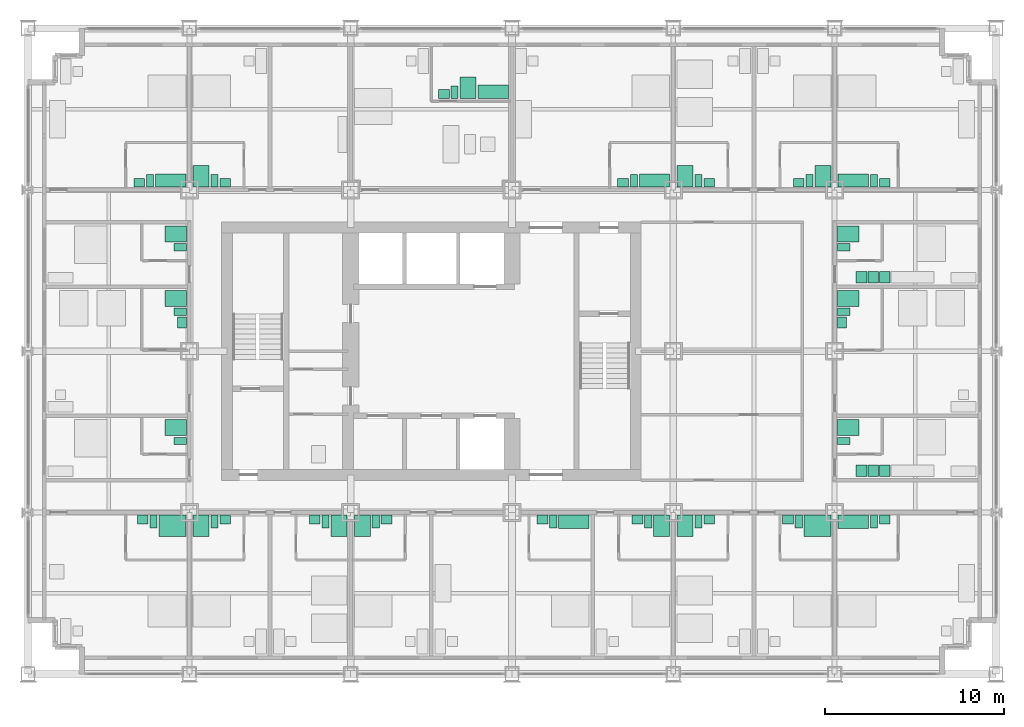
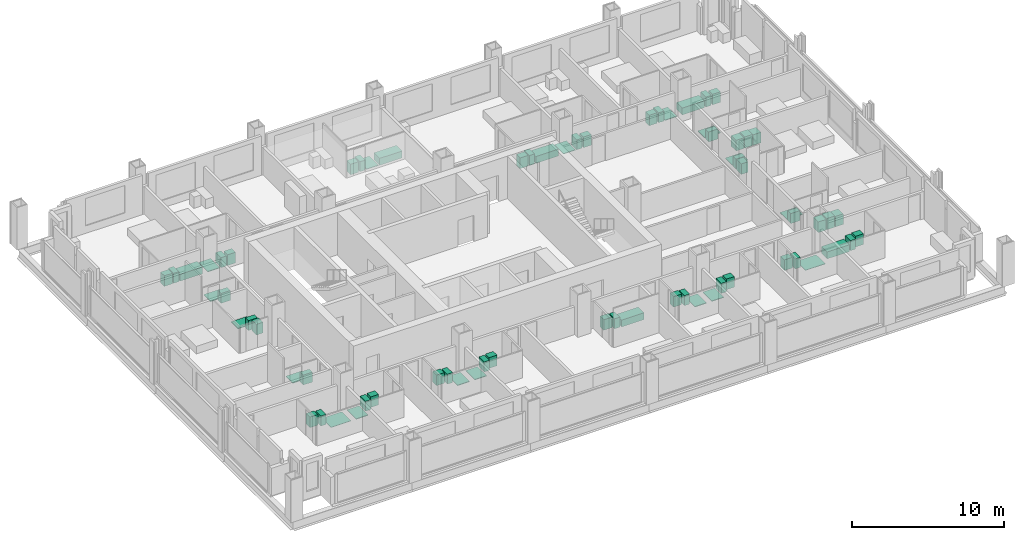
# One storey, part 18 of 19: 63 sanitary terminals, 6 electric appliances.
"""IFC4 building model written with IfcOpenShell, lengths in metres."""

from ifc_helpers import new_model, si_unit, direction, frame, origin, origin_2d, place, context, subcontext, project, spatial, rectangle, extrude, element, save


model = new_model("IFC4")

# Units and contexts
model_context = context("Model", 3, precision=1e-05, world=origin(), true_north=direction((0.0, 1.0)))
body_context = subcontext(model_context, "Body", "Model", "MODEL_VIEW")
ifc_project = project(units=[si_unit("LENGTHUNIT", "METRE"), si_unit("AREAUNIT", "SQUARE_METRE"), si_unit("VOLUMEUNIT", "CUBIC_METRE"), si_unit("PLANEANGLEUNIT", "RADIAN"), si_unit("MASSUNIT", "GRAM", prefix="KILO")], contexts=[model_context])

# Site, building, storey
site_placement = place(None, origin())
site = spatial("IfcSite", under=ifc_project, at=site_placement, CompositionType="ELEMENT")
building_placement = place(site_placement, origin())
building = spatial("IfcBuilding", under=site, at=building_placement, Name="Loomwork Tower", CompositionType="ELEMENT")
storey_placement = place(building_placement, frame((0.0, 0.0, 85.800048828125)))
storey = spatial("IfcBuildingStorey", under=building, at=storey_placement, Name="L22", CompositionType="ELEMENT", Elevation=85.800048828125)

# Sanitary terminals
sanitary_terminal_1_placement = place(storey_placement, frame((8.050048828125, 8.25, 0.0), z_axis=(0.0, 0.0, 1.0), x_axis=(1.0, 0.0, 0.0)))
element("IfcSanitaryTerminal", 1, at=sanitary_terminal_1_placement, inside=storey, Name="Roll-in shower floor L22", PredefinedType="SHOWER", context=body_context, shape_type="SweptSolid", body=[
    extrude(rectangle(XDim=1.5, YDim=1.199951171875, at=origin_2d()), origin(), (0.0, 0.0, 1.0), 0.030029296875),
])
sanitary_terminal_2_placement = place(storey_placement, frame((7.0, 8.5, 0.0), z_axis=(0.0, 0.0, 1.0), x_axis=(1.0, 0.0, 0.0)))
element("IfcSanitaryTerminal", 2, at=sanitary_terminal_2_placement, inside=storey, Name="WC L22", PredefinedType="TOILETPAN", context=body_context, shape_type="SweptSolid", body=[
    extrude(rectangle(XDim=0.39990234375, YDim=0.699951171875, at=origin_2d()), origin(), (0.0, 0.0, 1.0), 0.800048828125),
])
sanitary_terminal_3_placement = place(storey_placement, frame((6.39990234375, 8.60009765625, 0.0), z_axis=(0.0, 0.0, 1.0), x_axis=(1.0, 0.0, 0.0)))
element("IfcSanitaryTerminal", 3, at=sanitary_terminal_3_placement, inside=storey, Name="Basin vanity L22", PredefinedType="WASHHANDBASIN", context=body_context, shape_type="SweptSolid", body=[
    extrude(rectangle(XDim=0.60009765625, YDim=0.5, at=origin_2d()), origin(), (0.0, 0.0, 1.0), 0.85009765625),
])
sanitary_terminal_4_placement = place(storey_placement, frame((9.64990234375, 8.25, 0.0), z_axis=(0.0, 0.0, 1.0), x_axis=(1.0, 0.0, 0.0)))
element("IfcSanitaryTerminal", 4, at=sanitary_terminal_4_placement, inside=storey, Name="Shower tray L22", PredefinedType="SHOWER", context=body_context, shape_type="SweptSolid", body=[
    extrude(rectangle(XDim=0.89990234375, YDim=1.199951171875, at=origin_2d()), origin(), (0.0, 0.0, 1.0), 0.050048828125),
])
sanitary_terminal_5_placement = place(storey_placement, frame((10.39990234375, 8.5, 0.0), z_axis=(0.0, 0.0, 1.0), x_axis=(1.0, 0.0, 0.0)))
element("IfcSanitaryTerminal", 5, at=sanitary_terminal_5_placement, inside=storey, Name="WC L22", PredefinedType="TOILETPAN", context=body_context, shape_type="SweptSolid", body=[
    extrude(rectangle(XDim=0.39990234375, YDim=0.699951171875, at=origin_2d()), origin(), (0.0, 0.0, 1.0), 0.800048828125),
])
sanitary_terminal_6_placement = place(storey_placement, frame((11.0, 8.60009765625, 0.0), z_axis=(0.0, 0.0, 1.0), x_axis=(1.0, 0.0, 0.0)))
element("IfcSanitaryTerminal", 6, at=sanitary_terminal_6_placement, inside=storey, Name="Basin vanity L22", PredefinedType="WASHHANDBASIN", context=body_context, shape_type="SweptSolid", body=[
    extrude(rectangle(XDim=0.60009765625, YDim=0.5, at=origin_2d()), origin(), (0.0, 0.0, 1.0), 0.85009765625),
])
sanitary_terminal_7_placement = place(storey_placement, frame((17.35009765625, 8.25, 0.0), z_axis=(0.0, 0.0, 1.0), x_axis=(1.0, 0.0, 0.0)))
element("IfcSanitaryTerminal", 7, at=sanitary_terminal_7_placement, inside=storey, Name="Shower tray L22", PredefinedType="SHOWER", context=body_context, shape_type="SweptSolid", body=[
    extrude(rectangle(XDim=0.89990234375, YDim=1.199951171875, at=origin_2d()), origin(), (0.0, 0.0, 1.0), 0.050048828125),
])
sanitary_terminal_8_placement = place(storey_placement, frame((16.60009765625, 8.5, 0.0), z_axis=(0.0, 0.0, 1.0), x_axis=(1.0, 0.0, 0.0)))
element("IfcSanitaryTerminal", 8, at=sanitary_terminal_8_placement, inside=storey, Name="WC L22", PredefinedType="TOILETPAN", context=body_context, shape_type="SweptSolid", body=[
    extrude(rectangle(XDim=0.39990234375, YDim=0.699951171875, at=origin_2d()), origin(), (0.0, 0.0, 1.0), 0.800048828125),
])
sanitary_terminal_9_placement = place(storey_placement, frame((16.0, 8.60009765625, 0.0), z_axis=(0.0, 0.0, 1.0), x_axis=(1.0, 0.0, 0.0)))
element("IfcSanitaryTerminal", 9, at=sanitary_terminal_9_placement, inside=storey, Name="Basin vanity L22", PredefinedType="WASHHANDBASIN", context=body_context, shape_type="SweptSolid", body=[
    extrude(rectangle(XDim=0.60009765625, YDim=0.5, at=origin_2d()), origin(), (0.0, 0.0, 1.0), 0.85009765625),
])
sanitary_terminal_10_placement = place(storey_placement, frame((18.64990234375, 8.25, 0.0), z_axis=(0.0, 0.0, 1.0), x_axis=(1.0, 0.0, 0.0)))
element("IfcSanitaryTerminal", 10, at=sanitary_terminal_10_placement, inside=storey, Name="Shower tray L22", PredefinedType="SHOWER", context=body_context, shape_type="SweptSolid", body=[
    extrude(rectangle(XDim=0.89990234375, YDim=1.199951171875, at=origin_2d()), origin(), (0.0, 0.0, 1.0), 0.050048828125),
])
sanitary_terminal_11_placement = place(storey_placement, frame((19.39990234375, 8.5, 0.0), z_axis=(0.0, 0.0, 1.0), x_axis=(1.0, 0.0, 0.0)))
element("IfcSanitaryTerminal", 11, at=sanitary_terminal_11_placement, inside=storey, Name="WC L22", PredefinedType="TOILETPAN", context=body_context, shape_type="SweptSolid", body=[
    extrude(rectangle(XDim=0.39990234375, YDim=0.699951171875, at=origin_2d()), origin(), (0.0, 0.0, 1.0), 0.800048828125),
])
sanitary_terminal_12_placement = place(storey_placement, frame((20.0, 8.60009765625, 0.0), z_axis=(0.0, 0.0, 1.0), x_axis=(1.0, 0.0, 0.0)))
element("IfcSanitaryTerminal", 12, at=sanitary_terminal_12_placement, inside=storey, Name="Basin vanity L22", PredefinedType="WASHHANDBASIN", context=body_context, shape_type="SweptSolid", body=[
    extrude(rectangle(XDim=0.60009765625, YDim=0.5, at=origin_2d()), origin(), (0.0, 0.0, 1.0), 0.85009765625),
])
sanitary_terminal_13_placement = place(storey_placement, frame((30.449951171875, 8.47509765625, 0.0), z_axis=(0.0, 0.0, 1.0), x_axis=(1.0, 0.0, 0.0)))
element("IfcSanitaryTerminal", 13, at=sanitary_terminal_13_placement, inside=storey, Name="Bath L22", PredefinedType="BATH", context=body_context, shape_type="SweptSolid", body=[
    extrude(rectangle(XDim=1.699951171875, YDim=0.75, at=origin_2d()), origin(), (0.0, 0.0, 1.0), 0.550048828125),
])
sanitary_terminal_14_placement = place(storey_placement, frame((29.300048828125, 8.5, 0.0), z_axis=(0.0, 0.0, 1.0), x_axis=(1.0, 0.0, 0.0)))
element("IfcSanitaryTerminal", 14, at=sanitary_terminal_14_placement, inside=storey, Name="WC L22", PredefinedType="TOILETPAN", context=body_context, shape_type="SweptSolid", body=[
    extrude(rectangle(XDim=0.39990234375, YDim=0.699951171875, at=origin_2d()), origin(), (0.0, 0.0, 1.0), 0.800048828125),
])
sanitary_terminal_15_placement = place(storey_placement, frame((28.699951171875, 8.60009765625, 0.0), z_axis=(0.0, 0.0, 1.0), x_axis=(1.0, 0.0, 0.0)))
element("IfcSanitaryTerminal", 15, at=sanitary_terminal_15_placement, inside=storey, Name="Basin vanity L22", PredefinedType="WASHHANDBASIN", context=body_context, shape_type="SweptSolid", body=[
    extrude(rectangle(XDim=0.60009765625, YDim=0.5, at=origin_2d()), origin(), (0.0, 0.0, 1.0), 0.85009765625),
])
sanitary_terminal_16_placement = place(storey_placement, frame((35.35009765625, 8.25, 0.0), z_axis=(0.0, 0.0, 1.0), x_axis=(1.0, 0.0, 0.0)))
element("IfcSanitaryTerminal", 16, at=sanitary_terminal_16_placement, inside=storey, Name="Shower tray L22", PredefinedType="SHOWER", context=body_context, shape_type="SweptSolid", body=[
    extrude(rectangle(XDim=0.89990234375, YDim=1.199951171875, at=origin_2d()), origin(), (0.0, 0.0, 1.0), 0.050048828125),
])
sanitary_terminal_17_placement = place(storey_placement, frame((34.60009765625, 8.5, 0.0), z_axis=(0.0, 0.0, 1.0), x_axis=(1.0, 0.0, 0.0)))
element("IfcSanitaryTerminal", 17, at=sanitary_terminal_17_placement, inside=storey, Name="WC L22", PredefinedType="TOILETPAN", context=body_context, shape_type="SweptSolid", body=[
    extrude(rectangle(XDim=0.39990234375, YDim=0.699951171875, at=origin_2d()), origin(), (0.0, 0.0, 1.0), 0.800048828125),
])
sanitary_terminal_18_placement = place(storey_placement, frame((34.0, 8.60009765625, 0.0), z_axis=(0.0, 0.0, 1.0), x_axis=(1.0, 0.0, 0.0)))
element("IfcSanitaryTerminal", 18, at=sanitary_terminal_18_placement, inside=storey, Name="Basin vanity L22", PredefinedType="WASHHANDBASIN", context=body_context, shape_type="SweptSolid", body=[
    extrude(rectangle(XDim=0.60009765625, YDim=0.5, at=origin_2d()), origin(), (0.0, 0.0, 1.0), 0.85009765625),
])
sanitary_terminal_19_placement = place(storey_placement, frame((36.64990234375, 8.25, 0.0), z_axis=(0.0, 0.0, 1.0), x_axis=(1.0, 0.0, 0.0)))
element("IfcSanitaryTerminal", 19, at=sanitary_terminal_19_placement, inside=storey, Name="Shower tray L22", PredefinedType="SHOWER", context=body_context, shape_type="SweptSolid", body=[
    extrude(rectangle(XDim=0.89990234375, YDim=1.199951171875, at=origin_2d()), origin(), (0.0, 0.0, 1.0), 0.050048828125),
])
sanitary_terminal_20_placement = place(storey_placement, frame((37.39990234375, 8.5, 0.0), z_axis=(0.0, 0.0, 1.0), x_axis=(1.0, 0.0, 0.0)))
element("IfcSanitaryTerminal", 20, at=sanitary_terminal_20_placement, inside=storey, Name="WC L22", PredefinedType="TOILETPAN", context=body_context, shape_type="SweptSolid", body=[
    extrude(rectangle(XDim=0.39990234375, YDim=0.699951171875, at=origin_2d()), origin(), (0.0, 0.0, 1.0), 0.800048828125),
])
sanitary_terminal_21_placement = place(storey_placement, frame((38.0, 8.60009765625, 0.0), z_axis=(0.0, 0.0, 1.0), x_axis=(1.0, 0.0, 0.0)))
element("IfcSanitaryTerminal", 21, at=sanitary_terminal_21_placement, inside=storey, Name="Basin vanity L22", PredefinedType="WASHHANDBASIN", context=body_context, shape_type="SweptSolid", body=[
    extrude(rectangle(XDim=0.60009765625, YDim=0.5, at=origin_2d()), origin(), (0.0, 0.0, 1.0), 0.85009765625),
])
sanitary_terminal_22_placement = place(storey_placement, frame((44.050048828125, 8.25, 0.0), z_axis=(0.0, 0.0, 1.0), x_axis=(1.0, 0.0, 0.0)))
element("IfcSanitaryTerminal", 22, at=sanitary_terminal_22_placement, inside=storey, Name="Roll-in shower floor L22", PredefinedType="SHOWER", context=body_context, shape_type="SweptSolid", body=[
    extrude(rectangle(XDim=1.5, YDim=1.199951171875, at=origin_2d()), origin(), (0.0, 0.0, 1.0), 0.030029296875),
])
sanitary_terminal_23_placement = place(storey_placement, frame((43.0, 8.5, 0.0), z_axis=(0.0, 0.0, 1.0), x_axis=(1.0, 0.0, 0.0)))
element("IfcSanitaryTerminal", 23, at=sanitary_terminal_23_placement, inside=storey, Name="WC L22", PredefinedType="TOILETPAN", context=body_context, shape_type="SweptSolid", body=[
    extrude(rectangle(XDim=0.39990234375, YDim=0.699951171875, at=origin_2d()), origin(), (0.0, 0.0, 1.0), 0.800048828125),
])
sanitary_terminal_24_placement = place(storey_placement, frame((42.39990234375, 8.60009765625, 0.0), z_axis=(0.0, 0.0, 1.0), x_axis=(1.0, 0.0, 0.0)))
element("IfcSanitaryTerminal", 24, at=sanitary_terminal_24_placement, inside=storey, Name="Basin vanity L22", PredefinedType="WASHHANDBASIN", context=body_context, shape_type="SweptSolid", body=[
    extrude(rectangle(XDim=0.60009765625, YDim=0.5, at=origin_2d()), origin(), (0.0, 0.0, 1.0), 0.85009765625),
])
sanitary_terminal_25_placement = place(storey_placement, frame((46.050048828125, 8.47509765625, 0.0), z_axis=(0.0, 0.0, 1.0), x_axis=(1.0, 0.0, 0.0)))
element("IfcSanitaryTerminal", 25, at=sanitary_terminal_25_placement, inside=storey, Name="Bath L22", PredefinedType="BATH", context=body_context, shape_type="SweptSolid", body=[
    extrude(rectangle(XDim=1.699951171875, YDim=0.75, at=origin_2d()), origin(), (0.0, 0.0, 1.0), 0.550048828125),
])
sanitary_terminal_26_placement = place(storey_placement, frame((47.199951171875, 8.5, 0.0), z_axis=(0.0, 0.0, 1.0), x_axis=(1.0, 0.0, 0.0)))
element("IfcSanitaryTerminal", 26, at=sanitary_terminal_26_placement, inside=storey, Name="WC L22", PredefinedType="TOILETPAN", context=body_context, shape_type="SweptSolid", body=[
    extrude(rectangle(XDim=0.39990234375, YDim=0.699951171875, at=origin_2d()), origin(), (0.0, 0.0, 1.0), 0.800048828125),
])
sanitary_terminal_27_placement = place(storey_placement, frame((47.800048828125, 8.60009765625, 0.0), z_axis=(0.0, 0.0, 1.0), x_axis=(1.0, 0.0, 0.0)))
element("IfcSanitaryTerminal", 27, at=sanitary_terminal_27_placement, inside=storey, Name="Basin vanity L22", PredefinedType="WASHHANDBASIN", context=body_context, shape_type="SweptSolid", body=[
    extrude(rectangle(XDim=0.60009765625, YDim=0.5, at=origin_2d()), origin(), (0.0, 0.0, 1.0), 0.85009765625),
])
sanitary_terminal_28_placement = place(storey_placement, frame((7.949951171875, 27.52490234375, 0.0), z_axis=(0.0, 0.0, 1.0), x_axis=(1.0, 0.0, 0.0)))
element("IfcSanitaryTerminal", 28, at=sanitary_terminal_28_placement, inside=storey, Name="Bath L22", PredefinedType="BATH", context=body_context, shape_type="SweptSolid", body=[
    extrude(rectangle(XDim=1.699951171875, YDim=0.75, at=origin_2d()), origin(), (0.0, 0.0, 1.0), 0.550048828125),
])
sanitary_terminal_29_placement = place(storey_placement, frame((6.800048828125, 27.5, 0.0), z_axis=(0.0, 0.0, 1.0), x_axis=(1.0, 0.0, 0.0)))
element("IfcSanitaryTerminal", 29, at=sanitary_terminal_29_placement, inside=storey, Name="WC L22", PredefinedType="TOILETPAN", context=body_context, shape_type="SweptSolid", body=[
    extrude(rectangle(XDim=0.39990234375, YDim=0.699951171875, at=origin_2d()), origin(), (0.0, 0.0, 1.0), 0.800048828125),
])
sanitary_terminal_30_placement = place(storey_placement, frame((6.199951171875, 27.39990234375, 0.0), z_axis=(0.0, 0.0, 1.0), x_axis=(1.0, 0.0, 0.0)))
element("IfcSanitaryTerminal", 30, at=sanitary_terminal_30_placement, inside=storey, Name="Basin vanity L22", PredefinedType="WASHHANDBASIN", context=body_context, shape_type="SweptSolid", body=[
    extrude(rectangle(XDim=0.60009765625, YDim=0.5, at=origin_2d()), origin(), (0.0, 0.0, 1.0), 0.85009765625),
])
sanitary_terminal_31_placement = place(storey_placement, frame((9.64990234375, 27.75, 0.0), z_axis=(0.0, 0.0, 1.0), x_axis=(1.0, 0.0, 0.0)))
element("IfcSanitaryTerminal", 31, at=sanitary_terminal_31_placement, inside=storey, Name="Shower tray L22", PredefinedType="SHOWER", context=body_context, shape_type="SweptSolid", body=[
    extrude(rectangle(XDim=0.89990234375, YDim=1.199951171875, at=origin_2d()), origin(), (0.0, 0.0, 1.0), 0.050048828125),
])
sanitary_terminal_32_placement = place(storey_placement, frame((10.39990234375, 27.5, 0.0), z_axis=(0.0, 0.0, 1.0), x_axis=(1.0, 0.0, 0.0)))
element("IfcSanitaryTerminal", 32, at=sanitary_terminal_32_placement, inside=storey, Name="WC L22", PredefinedType="TOILETPAN", context=body_context, shape_type="SweptSolid", body=[
    extrude(rectangle(XDim=0.39990234375, YDim=0.699951171875, at=origin_2d()), origin(), (0.0, 0.0, 1.0), 0.800048828125),
])
sanitary_terminal_33_placement = place(storey_placement, frame((11.0, 27.39990234375, 0.0), z_axis=(0.0, 0.0, 1.0), x_axis=(1.0, 0.0, 0.0)))
element("IfcSanitaryTerminal", 33, at=sanitary_terminal_33_placement, inside=storey, Name="Basin vanity L22", PredefinedType="WASHHANDBASIN", context=body_context, shape_type="SweptSolid", body=[
    extrude(rectangle(XDim=0.60009765625, YDim=0.5, at=origin_2d()), origin(), (0.0, 0.0, 1.0), 0.85009765625),
])
sanitary_terminal_34_placement = place(storey_placement, frame((25.949951171875, 32.47509765625, 0.0), z_axis=(0.0, 0.0, 1.0), x_axis=(1.0, 0.0, 0.0)))
element("IfcSanitaryTerminal", 34, at=sanitary_terminal_34_placement, inside=storey, Name="Bath L22", PredefinedType="BATH", context=body_context, shape_type="SweptSolid", body=[
    extrude(rectangle(XDim=1.699951171875, YDim=0.75, at=origin_2d()), origin(), (0.0, 0.0, 1.0), 0.550048828125),
])
sanitary_terminal_35_placement = place(storey_placement, frame((24.550048828125, 32.699951171875, 0.0), z_axis=(0.0, 0.0, 1.0), x_axis=(1.0, 0.0, 0.0)))
element("IfcSanitaryTerminal", 35, at=sanitary_terminal_35_placement, inside=storey, Name="Shower tray L22", PredefinedType="SHOWER", context=body_context, shape_type="SweptSolid", body=[
    extrude(rectangle(XDim=0.89990234375, YDim=1.199951171875, at=origin_2d()), origin(), (0.0, 0.0, 1.0), 0.050048828125),
])
sanitary_terminal_36_placement = place(storey_placement, frame((23.800048828125, 32.449951171875, 0.0), z_axis=(0.0, 0.0, 1.0), x_axis=(1.0, 0.0, 0.0)))
element("IfcSanitaryTerminal", 36, at=sanitary_terminal_36_placement, inside=storey, Name="WC L22", PredefinedType="TOILETPAN", context=body_context, shape_type="SweptSolid", body=[
    extrude(rectangle(XDim=0.39990234375, YDim=0.699951171875, at=origin_2d()), origin(), (0.0, 0.0, 1.0), 0.800048828125),
])
sanitary_terminal_37_placement = place(storey_placement, frame((23.199951171875, 32.35009765625, 0.0), z_axis=(0.0, 0.0, 1.0), x_axis=(1.0, 0.0, 0.0)))
element("IfcSanitaryTerminal", 37, at=sanitary_terminal_37_placement, inside=storey, Name="Basin vanity L22", PredefinedType="WASHHANDBASIN", context=body_context, shape_type="SweptSolid", body=[
    extrude(rectangle(XDim=0.60009765625, YDim=0.5, at=origin_2d()), origin(), (0.0, 0.0, 1.0), 0.85009765625),
])
sanitary_terminal_38_placement = place(storey_placement, frame((34.949951171875, 27.52490234375, 0.0), z_axis=(0.0, 0.0, 1.0), x_axis=(1.0, 0.0, 0.0)))
element("IfcSanitaryTerminal", 38, at=sanitary_terminal_38_placement, inside=storey, Name="Bath L22", PredefinedType="BATH", context=body_context, shape_type="SweptSolid", body=[
    extrude(rectangle(XDim=1.699951171875, YDim=0.75, at=origin_2d()), origin(), (0.0, 0.0, 1.0), 0.550048828125),
])
sanitary_terminal_39_placement = place(storey_placement, frame((33.800048828125, 27.5, 0.0), z_axis=(0.0, 0.0, 1.0), x_axis=(1.0, 0.0, 0.0)))
element("IfcSanitaryTerminal", 39, at=sanitary_terminal_39_placement, inside=storey, Name="WC L22", PredefinedType="TOILETPAN", context=body_context, shape_type="SweptSolid", body=[
    extrude(rectangle(XDim=0.39990234375, YDim=0.699951171875, at=origin_2d()), origin(), (0.0, 0.0, 1.0), 0.800048828125),
])
sanitary_terminal_40_placement = place(storey_placement, frame((33.199951171875, 27.39990234375, 0.0), z_axis=(0.0, 0.0, 1.0), x_axis=(1.0, 0.0, 0.0)))
element("IfcSanitaryTerminal", 40, at=sanitary_terminal_40_placement, inside=storey, Name="Basin vanity L22", PredefinedType="WASHHANDBASIN", context=body_context, shape_type="SweptSolid", body=[
    extrude(rectangle(XDim=0.60009765625, YDim=0.5, at=origin_2d()), origin(), (0.0, 0.0, 1.0), 0.85009765625),
])
sanitary_terminal_41_placement = place(storey_placement, frame((36.64990234375, 27.75, 0.0), z_axis=(0.0, 0.0, 1.0), x_axis=(1.0, 0.0, 0.0)))
element("IfcSanitaryTerminal", 41, at=sanitary_terminal_41_placement, inside=storey, Name="Shower tray L22", PredefinedType="SHOWER", context=body_context, shape_type="SweptSolid", body=[
    extrude(rectangle(XDim=0.89990234375, YDim=1.199951171875, at=origin_2d()), origin(), (0.0, 0.0, 1.0), 0.050048828125),
])
sanitary_terminal_42_placement = place(storey_placement, frame((37.39990234375, 27.5, 0.0), z_axis=(0.0, 0.0, 1.0), x_axis=(1.0, 0.0, 0.0)))
element("IfcSanitaryTerminal", 42, at=sanitary_terminal_42_placement, inside=storey, Name="WC L22", PredefinedType="TOILETPAN", context=body_context, shape_type="SweptSolid", body=[
    extrude(rectangle(XDim=0.39990234375, YDim=0.699951171875, at=origin_2d()), origin(), (0.0, 0.0, 1.0), 0.800048828125),
])
sanitary_terminal_43_placement = place(storey_placement, frame((38.0, 27.39990234375, 0.0), z_axis=(0.0, 0.0, 1.0), x_axis=(1.0, 0.0, 0.0)))
element("IfcSanitaryTerminal", 43, at=sanitary_terminal_43_placement, inside=storey, Name="Basin vanity L22", PredefinedType="WASHHANDBASIN", context=body_context, shape_type="SweptSolid", body=[
    extrude(rectangle(XDim=0.60009765625, YDim=0.5, at=origin_2d()), origin(), (0.0, 0.0, 1.0), 0.85009765625),
])
sanitary_terminal_44_placement = place(storey_placement, frame((44.35009765625, 27.75, 0.0), z_axis=(0.0, 0.0, 1.0), x_axis=(1.0, 0.0, 0.0)))
element("IfcSanitaryTerminal", 44, at=sanitary_terminal_44_placement, inside=storey, Name="Shower tray L22", PredefinedType="SHOWER", context=body_context, shape_type="SweptSolid", body=[
    extrude(rectangle(XDim=0.89990234375, YDim=1.199951171875, at=origin_2d()), origin(), (0.0, 0.0, 1.0), 0.050048828125),
])
sanitary_terminal_45_placement = place(storey_placement, frame((43.60009765625, 27.5, 0.0), z_axis=(0.0, 0.0, 1.0), x_axis=(1.0, 0.0, 0.0)))
element("IfcSanitaryTerminal", 45, at=sanitary_terminal_45_placement, inside=storey, Name="WC L22", PredefinedType="TOILETPAN", context=body_context, shape_type="SweptSolid", body=[
    extrude(rectangle(XDim=0.39990234375, YDim=0.699951171875, at=origin_2d()), origin(), (0.0, 0.0, 1.0), 0.800048828125),
])
sanitary_terminal_46_placement = place(storey_placement, frame((43.0, 27.39990234375, 0.0), z_axis=(0.0, 0.0, 1.0), x_axis=(1.0, 0.0, 0.0)))
element("IfcSanitaryTerminal", 46, at=sanitary_terminal_46_placement, inside=storey, Name="Basin vanity L22", PredefinedType="WASHHANDBASIN", context=body_context, shape_type="SweptSolid", body=[
    extrude(rectangle(XDim=0.60009765625, YDim=0.5, at=origin_2d()), origin(), (0.0, 0.0, 1.0), 0.85009765625),
])
sanitary_terminal_47_placement = place(storey_placement, frame((46.050048828125, 27.52490234375, 0.0), z_axis=(0.0, 0.0, 1.0), x_axis=(1.0, 0.0, 0.0)))
element("IfcSanitaryTerminal", 47, at=sanitary_terminal_47_placement, inside=storey, Name="Bath L22", PredefinedType="BATH", context=body_context, shape_type="SweptSolid", body=[
    extrude(rectangle(XDim=1.699951171875, YDim=0.75, at=origin_2d()), origin(), (0.0, 0.0, 1.0), 0.550048828125),
])
sanitary_terminal_48_placement = place(storey_placement, frame((47.199951171875, 27.5, 0.0), z_axis=(0.0, 0.0, 1.0), x_axis=(1.0, 0.0, 0.0)))
element("IfcSanitaryTerminal", 48, at=sanitary_terminal_48_placement, inside=storey, Name="WC L22", PredefinedType="TOILETPAN", context=body_context, shape_type="SweptSolid", body=[
    extrude(rectangle(XDim=0.39990234375, YDim=0.699951171875, at=origin_2d()), origin(), (0.0, 0.0, 1.0), 0.800048828125),
])
sanitary_terminal_49_placement = place(storey_placement, frame((47.800048828125, 27.39990234375, 0.0), z_axis=(0.0, 0.0, 1.0), x_axis=(1.0, 0.0, 0.0)))
element("IfcSanitaryTerminal", 49, at=sanitary_terminal_49_placement, inside=storey, Name="Basin vanity L22", PredefinedType="WASHHANDBASIN", context=body_context, shape_type="SweptSolid", body=[
    extrude(rectangle(XDim=0.60009765625, YDim=0.5, at=origin_2d()), origin(), (0.0, 0.0, 1.0), 0.85009765625),
])
sanitary_terminal_50_placement = place(storey_placement, frame((8.25, 13.75, 0.0), z_axis=(0.0, 0.0, 1.0), x_axis=(1.0, 0.0, 0.0)))
element("IfcSanitaryTerminal", 50, at=sanitary_terminal_50_placement, inside=storey, Name="Shower tray L22", PredefinedType="SHOWER", context=body_context, shape_type="SweptSolid", body=[
    extrude(rectangle(XDim=1.199951171875, YDim=0.89990234375, at=origin_2d()), origin(), (0.0, 0.0, 1.0), 0.050048828125),
])
sanitary_terminal_51_placement = place(storey_placement, frame((8.5, 13.0, 0.0), z_axis=(0.0, 0.0, 1.0), x_axis=(1.0, 0.0, 0.0)))
element("IfcSanitaryTerminal", 51, at=sanitary_terminal_51_placement, inside=storey, Name="WC L22", PredefinedType="TOILETPAN", context=body_context, shape_type="SweptSolid", body=[
    extrude(rectangle(XDim=0.699951171875, YDim=0.39990234375, at=origin_2d()), origin(), (0.0, 0.0, 1.0), 0.800048828125),
])
sanitary_terminal_52_placement = place(storey_placement, frame((8.25, 20.949951171875, 0.0), z_axis=(0.0, 0.0, 1.0), x_axis=(1.0, 0.0, 0.0)))
element("IfcSanitaryTerminal", 52, at=sanitary_terminal_52_placement, inside=storey, Name="Shower tray L22", PredefinedType="SHOWER", context=body_context, shape_type="SweptSolid", body=[
    extrude(rectangle(XDim=1.199951171875, YDim=0.89990234375, at=origin_2d()), origin(), (0.0, 0.0, 1.0), 0.050048828125),
])
sanitary_terminal_53_placement = place(storey_placement, frame((8.5, 20.199951171875, 0.0), z_axis=(0.0, 0.0, 1.0), x_axis=(1.0, 0.0, 0.0)))
element("IfcSanitaryTerminal", 53, at=sanitary_terminal_53_placement, inside=storey, Name="WC L22", PredefinedType="TOILETPAN", context=body_context, shape_type="SweptSolid", body=[
    extrude(rectangle(XDim=0.699951171875, YDim=0.39990234375, at=origin_2d()), origin(), (0.0, 0.0, 1.0), 0.800048828125),
])
sanitary_terminal_54_placement = place(storey_placement, frame((8.60009765625, 19.60009765625, 0.0), z_axis=(0.0, 0.0, 1.0), x_axis=(1.0, 0.0, 0.0)))
element("IfcSanitaryTerminal", 54, at=sanitary_terminal_54_placement, inside=storey, Name="Basin vanity L22", PredefinedType="WASHHANDBASIN", context=body_context, shape_type="SweptSolid", body=[
    extrude(rectangle(XDim=0.5, YDim=0.60009765625, at=origin_2d()), origin(), (0.0, 0.0, 1.0), 0.85009765625),
])
sanitary_terminal_55_placement = place(storey_placement, frame((8.25, 24.550048828125, 0.0), z_axis=(0.0, 0.0, 1.0), x_axis=(1.0, 0.0, 0.0)))
element("IfcSanitaryTerminal", 55, at=sanitary_terminal_55_placement, inside=storey, Name="Shower tray L22", PredefinedType="SHOWER", context=body_context, shape_type="SweptSolid", body=[
    extrude(rectangle(XDim=1.199951171875, YDim=0.89990234375, at=origin_2d()), origin(), (0.0, 0.0, 1.0), 0.050048828125),
])
sanitary_terminal_56_placement = place(storey_placement, frame((8.5, 23.800048828125, 0.0), z_axis=(0.0, 0.0, 1.0), x_axis=(1.0, 0.0, 0.0)))
element("IfcSanitaryTerminal", 56, at=sanitary_terminal_56_placement, inside=storey, Name="WC L22", PredefinedType="TOILETPAN", context=body_context, shape_type="SweptSolid", body=[
    extrude(rectangle(XDim=0.699951171875, YDim=0.39990234375, at=origin_2d()), origin(), (0.0, 0.0, 1.0), 0.800048828125),
])
sanitary_terminal_57_placement = place(storey_placement, frame((45.75, 13.75, 0.0), z_axis=(0.0, 0.0, 1.0), x_axis=(1.0, 0.0, 0.0)))
element("IfcSanitaryTerminal", 57, at=sanitary_terminal_57_placement, inside=storey, Name="Shower tray L22", PredefinedType="SHOWER", context=body_context, shape_type="SweptSolid", body=[
    extrude(rectangle(XDim=1.199951171875, YDim=0.89990234375, at=origin_2d()), origin(), (0.0, 0.0, 1.0), 0.050048828125),
])
sanitary_terminal_58_placement = place(storey_placement, frame((45.5, 13.0, 0.0), z_axis=(0.0, 0.0, 1.0), x_axis=(1.0, 0.0, 0.0)))
element("IfcSanitaryTerminal", 58, at=sanitary_terminal_58_placement, inside=storey, Name="WC L22", PredefinedType="TOILETPAN", context=body_context, shape_type="SweptSolid", body=[
    extrude(rectangle(XDim=0.699951171875, YDim=0.39990234375, at=origin_2d()), origin(), (0.0, 0.0, 1.0), 0.800048828125),
])

# Electric appliances
electric_appliance_1_placement = place(storey_placement, frame((46.5, 11.324951171875, 0.0), z_axis=(0.0, 0.0, 1.0), x_axis=(1.0, 0.0, 0.0)))
element("IfcElectricAppliance", 59, at=electric_appliance_1_placement, inside=storey, Name="Refrigerator L22", PredefinedType="REFRIGERATOR", context=body_context, shape_type="SweptSolid", body=[
    extrude(rectangle(XDim=0.60009765625, YDim=0.64990234375, at=origin_2d()), origin(), (0.0, 0.0, 1.0), 0.85009765625),
])
electric_appliance_2_placement = place(storey_placement, frame((47.14990234375, 11.324951171875, 0.0), z_axis=(0.0, 0.0, 1.0), x_axis=(1.0, 0.0, 0.0)))
element("IfcElectricAppliance", 60, at=electric_appliance_2_placement, inside=storey, Name="Two-ring cooktop and oven L22", PredefinedType="ELECTRICCOOKER", context=body_context, shape_type="SweptSolid", body=[
    extrude(rectangle(XDim=0.60009765625, YDim=0.64990234375, at=origin_2d()), origin(), (0.0, 0.0, 1.0), 0.89990234375),
])
electric_appliance_3_placement = place(storey_placement, frame((47.800048828125, 11.324951171875, 0.0), z_axis=(0.0, 0.0, 1.0), x_axis=(1.0, 0.0, 0.0)))
element("IfcElectricAppliance", 61, at=electric_appliance_3_placement, inside=storey, Name="Dishwasher L22", PredefinedType="DISHWASHER", context=body_context, shape_type="SweptSolid", body=[
    extrude(rectangle(XDim=0.60009765625, YDim=0.64990234375, at=origin_2d()), origin(), (0.0, 0.0, 1.0), 0.85009765625),
])

# Sanitary terminals
sanitary_terminal_59_placement = place(storey_placement, frame((45.75, 20.949951171875, 0.0), z_axis=(0.0, 0.0, 1.0), x_axis=(1.0, 0.0, 0.0)))
element("IfcSanitaryTerminal", 62, at=sanitary_terminal_59_placement, inside=storey, Name="Shower tray L22", PredefinedType="SHOWER", context=body_context, shape_type="SweptSolid", body=[
    extrude(rectangle(XDim=1.199951171875, YDim=0.89990234375, at=origin_2d()), origin(), (0.0, 0.0, 1.0), 0.050048828125),
])
sanitary_terminal_60_placement = place(storey_placement, frame((45.5, 20.199951171875, 0.0), z_axis=(0.0, 0.0, 1.0), x_axis=(1.0, 0.0, 0.0)))
element("IfcSanitaryTerminal", 63, at=sanitary_terminal_60_placement, inside=storey, Name="WC L22", PredefinedType="TOILETPAN", context=body_context, shape_type="SweptSolid", body=[
    extrude(rectangle(XDim=0.699951171875, YDim=0.39990234375, at=origin_2d()), origin(), (0.0, 0.0, 1.0), 0.800048828125),
])
sanitary_terminal_61_placement = place(storey_placement, frame((45.39990234375, 19.60009765625, 0.0), z_axis=(0.0, 0.0, 1.0), x_axis=(1.0, 0.0, 0.0)))
element("IfcSanitaryTerminal", 64, at=sanitary_terminal_61_placement, inside=storey, Name="Basin vanity L22", PredefinedType="WASHHANDBASIN", context=body_context, shape_type="SweptSolid", body=[
    extrude(rectangle(XDim=0.5, YDim=0.60009765625, at=origin_2d()), origin(), (0.0, 0.0, 1.0), 0.85009765625),
])
sanitary_terminal_62_placement = place(storey_placement, frame((45.75, 24.550048828125, 0.0), z_axis=(0.0, 0.0, 1.0), x_axis=(1.0, 0.0, 0.0)))
element("IfcSanitaryTerminal", 65, at=sanitary_terminal_62_placement, inside=storey, Name="Shower tray L22", PredefinedType="SHOWER", context=body_context, shape_type="SweptSolid", body=[
    extrude(rectangle(XDim=1.199951171875, YDim=0.89990234375, at=origin_2d()), origin(), (0.0, 0.0, 1.0), 0.050048828125),
])
sanitary_terminal_63_placement = place(storey_placement, frame((45.5, 23.800048828125, 0.0), z_axis=(0.0, 0.0, 1.0), x_axis=(1.0, 0.0, 0.0)))
element("IfcSanitaryTerminal", 66, at=sanitary_terminal_63_placement, inside=storey, Name="WC L22", PredefinedType="TOILETPAN", context=body_context, shape_type="SweptSolid", body=[
    extrude(rectangle(XDim=0.699951171875, YDim=0.39990234375, at=origin_2d()), origin(), (0.0, 0.0, 1.0), 0.800048828125),
])

# Electric appliances
electric_appliance_4_placement = place(storey_placement, frame((46.5, 22.125, 0.0), z_axis=(0.0, 0.0, 1.0), x_axis=(1.0, 0.0, 0.0)))
element("IfcElectricAppliance", 67, at=electric_appliance_4_placement, inside=storey, Name="Refrigerator L22", PredefinedType="REFRIGERATOR", context=body_context, shape_type="SweptSolid", body=[
    extrude(rectangle(XDim=0.60009765625, YDim=0.64990234375, at=origin_2d()), origin(), (0.0, 0.0, 1.0), 0.85009765625),
])
electric_appliance_5_placement = place(storey_placement, frame((47.14990234375, 22.125, 0.0), z_axis=(0.0, 0.0, 1.0), x_axis=(1.0, 0.0, 0.0)))
element("IfcElectricAppliance", 68, at=electric_appliance_5_placement, inside=storey, Name="Two-ring cooktop and oven L22", PredefinedType="ELECTRICCOOKER", context=body_context, shape_type="SweptSolid", body=[
    extrude(rectangle(XDim=0.60009765625, YDim=0.64990234375, at=origin_2d()), origin(), (0.0, 0.0, 1.0), 0.89990234375),
])
electric_appliance_6_placement = place(storey_placement, frame((47.800048828125, 22.125, 0.0), z_axis=(0.0, 0.0, 1.0), x_axis=(1.0, 0.0, 0.0)))
element("IfcElectricAppliance", 69, at=electric_appliance_6_placement, inside=storey, Name="Dishwasher L22", PredefinedType="DISHWASHER", context=body_context, shape_type="SweptSolid", body=[
    extrude(rectangle(XDim=0.60009765625, YDim=0.64990234375, at=origin_2d()), origin(), (0.0, 0.0, 1.0), 0.85009765625),
])

save(model, "model.ifc")
